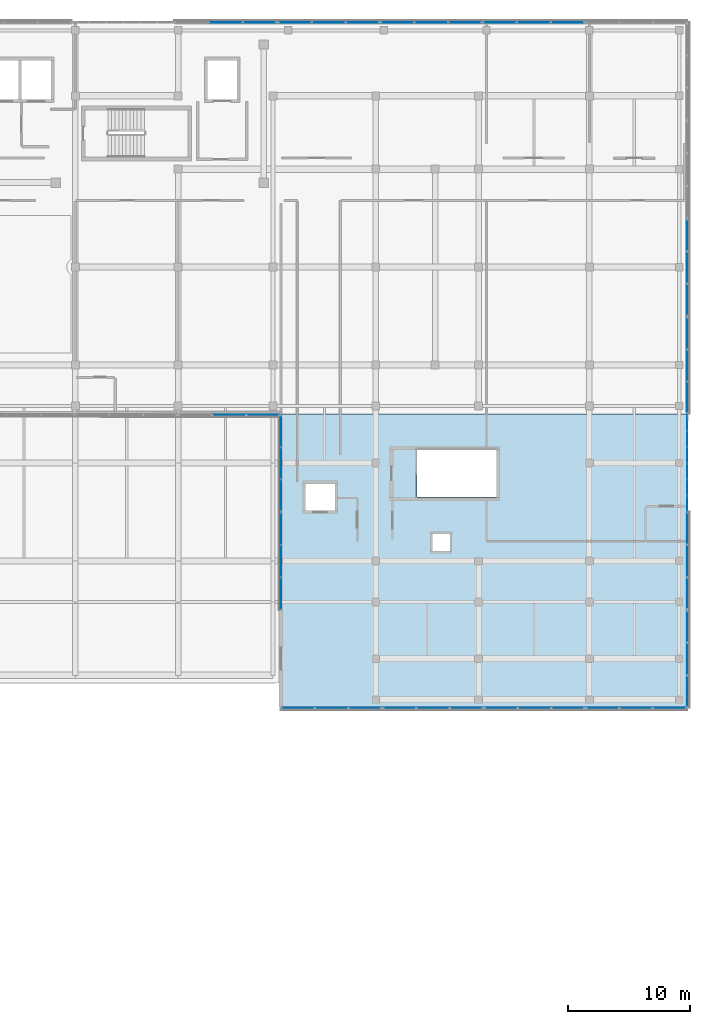
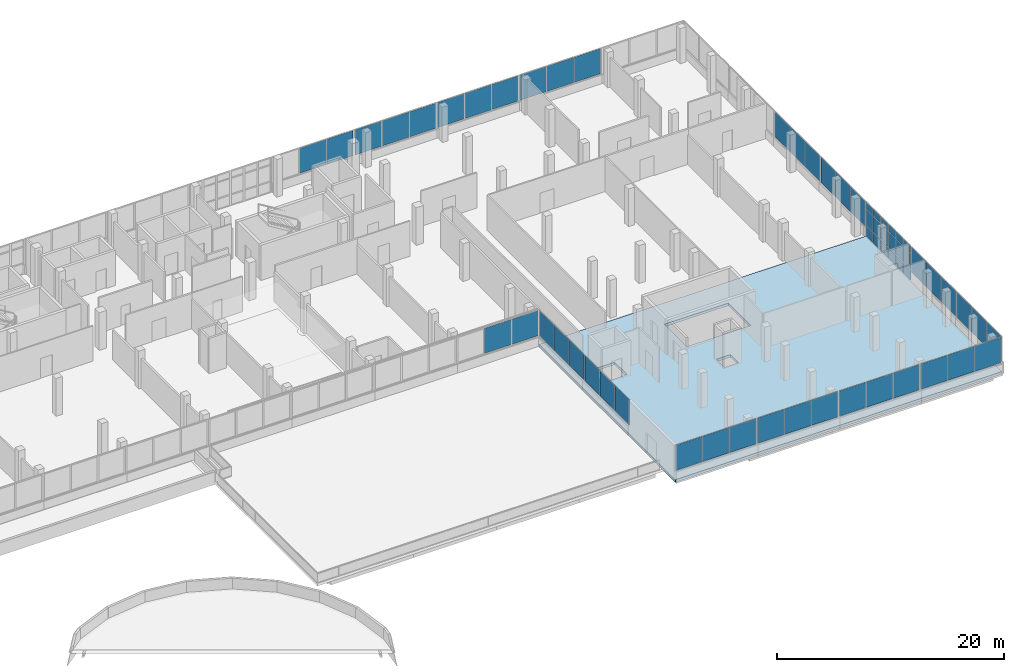
# One storey, part 63 of 78: 61 plates, 1 slab, 16 elements without a shape of their own.
"""IFC4 building model written with IfcOpenShell, lengths in metres."""

from ifc_helpers import new_model, si_unit, direction, frame, origin, origin_2d, place, context, subcontext, project, spatial, polyline, rectangle, outline, extrude, material, layer, layer_set, type_object, element, aggregate, save


model = new_model("IFC4")

# Units and contexts
model_context = context("Model", 3, precision=1e-05, world=origin(), true_north=direction((0.0, 1.0)))
body_context = subcontext(model_context, "Body", "Model", "MODEL_VIEW")
ifc_project = project(units=[si_unit("LENGTHUNIT", "METRE"), si_unit("AREAUNIT", "SQUARE_METRE"), si_unit("VOLUMEUNIT", "CUBIC_METRE"), si_unit("PLANEANGLEUNIT", "RADIAN"), si_unit("MASSUNIT", "GRAM", prefix="KILO")], contexts=[model_context])

# Site, building, storey
site_placement = place(None, origin())
site = spatial("IfcSite", under=ifc_project, at=site_placement, CompositionType="ELEMENT")
building_placement = place(site_placement, origin())
building = spatial("IfcBuilding", under=site, at=building_placement, Name="Selatvlak General Hospital", CompositionType="ELEMENT")
storey_placement = place(building_placement, frame((0.0, 0.0, 23.25)))
storey = spatial("IfcBuildingStorey", under=building, at=storey_placement, Name="L05", CompositionType="ELEMENT", Elevation=23.25)

# Curtain wall, plates
ifc_material_1 = material(Name="Solar-control Low-E double glazing", Category="glass")
curtain_wall_type_1 = type_object("IfcCurtainWallType", Name="CW-CW-01", PredefinedType="USERDEFINED", material=ifc_material_1)
curtain_wall_1_placement = place(storey_placement, origin())
curtain_wall_1 = element("IfcCurtainWall", 1, at=curtain_wall_1_placement, inside=storey, type_object=curtain_wall_type_1, Name="Glazed facade curtain wall CW-L05-0561", ObjectType="UNITISED CURTAIN WALL", PredefinedType="USERDEFINED")
ifc_layer_1 = layer(ifc_material_1, 0.028076171875, Name="Solar-control Low-E double glazing", Category="glass")
ifc_layer_set_1 = layer_set([ifc_layer_1], Name="Solar-control Low-E double glazing")
plate_type = type_object("IfcPlateType", Name="CWP-01", PredefinedType="CURTAIN_PANEL", material=ifc_layer_set_1)
plate_1_placement = place(storey_placement, frame((144.2939453125, 120.0, 1.0048828125), z_axis=(0.0, 0.0, 1.0), x_axis=(1.0, 0.0, 0.0)))
plate_1 = element("IfcPlate", 2, at=plate_1_placement, type_object=plate_type, Name="CW-01 panel 2.1", PredefinedType="CURTAIN_PANEL", context=body_context, shape_type="SweptSolid", body=[
    extrude(rectangle(XDim=2.7177734375, YDim=0.028076171875, at=origin_2d()), origin(), (0.0, 0.0, 1.0), 2.705078125),
])
plate_2_placement = place(storey_placement, frame((147.060302734375, 120.0, 1.0048828125), z_axis=(0.0, 0.0, 1.0), x_axis=(1.0, 0.0, 0.0)))
plate_2 = element("IfcPlate", 3, at=plate_2_placement, type_object=plate_type, Name="CW-01 panel 3.1", PredefinedType="CURTAIN_PANEL", context=body_context, shape_type="SweptSolid", body=[
    extrude(rectangle(XDim=2.68505859375, YDim=0.028076171875, at=origin_2d()), origin(), (0.0, 0.0, 1.0), 2.705078125),
])
aggregate(curtain_wall_1, [plate_1, plate_2])

curtain_wall_type_2 = type_object("IfcCurtainWallType", Name="CW-CW-02", PredefinedType="USERDEFINED", material=ifc_material_1)
curtain_wall_2_placement = place(storey_placement, origin())
curtain_wall_2 = element("IfcCurtainWall", 4, at=curtain_wall_2_placement, inside=storey, type_object=curtain_wall_type_2, Name="Glazed facade curtain wall CW-L05-0562", ObjectType="UNITISED CURTAIN WALL", PredefinedType="USERDEFINED")
plate_3_placement = place(storey_placement, frame((149.947509765625, 120.0, 1.0048828125), z_axis=(0.0, 0.0, 1.0), x_axis=(1.0, 0.0, 0.0)))
plate_3 = element("IfcPlate", 5, at=plate_3_placement, type_object=plate_type, Name="CW-02 panel 1.1", PredefinedType="CURTAIN_PANEL", context=body_context, shape_type="SweptSolid", body=[
    extrude(rectangle(XDim=2.6689453125, YDim=0.028076171875, at=origin_2d()), origin(), (0.0, 0.0, 1.0), 2.705078125),
])
plate_4_placement = place(storey_placement, frame((152.697509765625, 120.0, 1.0048828125), z_axis=(0.0, 0.0, 1.0), x_axis=(1.0, 0.0, 0.0)))
plate_4 = element("IfcPlate", 6, at=plate_4_placement, type_object=plate_type, Name="CW-02 panel 2.1", PredefinedType="CURTAIN_PANEL", context=body_context, shape_type="SweptSolid", body=[
    extrude(rectangle(XDim=2.701416015625, YDim=0.028076171875, at=origin_2d()), origin(), (0.0, 0.0, 1.0), 2.705078125),
])
plate_5_placement = place(storey_placement, frame((155.447509765625, 120.0, 1.0048828125), z_axis=(0.0, 0.0, 1.0), x_axis=(1.0, 0.0, 0.0)))
plate_5 = element("IfcPlate", 7, at=plate_5_placement, type_object=plate_type, Name="CW-02 panel 3.1", PredefinedType="CURTAIN_PANEL", context=body_context, shape_type="SweptSolid", body=[
    extrude(rectangle(XDim=2.6689453125, YDim=0.028076171875, at=origin_2d()), origin(), (0.0, 0.0, 1.0), 2.705078125),
])
aggregate(curtain_wall_2, [plate_3, plate_4, plate_5])

curtain_wall_3_placement = place(storey_placement, origin())
curtain_wall_3 = element("IfcCurtainWall", 8, at=curtain_wall_3_placement, inside=storey, type_object=curtain_wall_type_1, Name="Glazed facade curtain wall CW-L05-0563", ObjectType="UNITISED CURTAIN WALL", PredefinedType="USERDEFINED")
plate_6_placement = place(storey_placement, frame((158.326416015625, 120.0, 1.0048828125), z_axis=(0.0, 0.0, 1.0), x_axis=(1.0, 0.0, 0.0)))
plate_6 = element("IfcPlate", 9, at=plate_6_placement, type_object=plate_type, Name="CW-01 panel 1.1", PredefinedType="CURTAIN_PANEL", context=body_context, shape_type="SweptSolid", body=[
    extrude(rectangle(XDim=2.6689453125, YDim=0.028076171875, at=origin_2d()), origin(), (0.0, 0.0, 1.0), 2.705078125),
])
plate_7_placement = place(storey_placement, frame((161.076416015625, 120.0, 1.0048828125), z_axis=(0.0, 0.0, 1.0), x_axis=(1.0, 0.0, 0.0)))
plate_7 = element("IfcPlate", 10, at=plate_7_placement, type_object=plate_type, Name="CW-01 panel 2.1", PredefinedType="CURTAIN_PANEL", context=body_context, shape_type="SweptSolid", body=[
    extrude(rectangle(XDim=2.701416015625, YDim=0.028076171875, at=origin_2d()), origin(), (0.0, 0.0, 1.0), 2.705078125),
])
plate_8_placement = place(storey_placement, frame((163.82666015625, 120.0, 1.0048828125), z_axis=(0.0, 0.0, 1.0), x_axis=(1.0, 0.0, 0.0)))
plate_8 = element("IfcPlate", 11, at=plate_8_placement, type_object=plate_type, Name="CW-01 panel 3.1", PredefinedType="CURTAIN_PANEL", context=body_context, shape_type="SweptSolid", body=[
    extrude(rectangle(XDim=2.6689453125, YDim=0.028076171875, at=origin_2d()), origin(), (0.0, 0.0, 1.0), 2.705078125),
])
aggregate(curtain_wall_3, [plate_6, plate_7, plate_8])

curtain_wall_4_placement = place(storey_placement, origin())
curtain_wall_4 = element("IfcCurtainWall", 12, at=curtain_wall_4_placement, inside=storey, type_object=curtain_wall_type_2, Name="Glazed facade curtain wall CW-L05-0564", ObjectType="UNITISED CURTAIN WALL", PredefinedType="USERDEFINED")
plate_9_placement = place(storey_placement, frame((166.705322265625, 120.0, 1.0048828125), z_axis=(0.0, 0.0, 1.0), x_axis=(1.0, 0.0, 0.0)))
plate_9 = element("IfcPlate", 13, at=plate_9_placement, type_object=plate_type, Name="CW-02 panel 1.1", PredefinedType="CURTAIN_PANEL", context=body_context, shape_type="SweptSolid", body=[
    extrude(rectangle(XDim=2.6689453125, YDim=0.028076171875, at=origin_2d()), origin(), (0.0, 0.0, 1.0), 2.705078125),
])
plate_10_placement = place(storey_placement, frame((169.45556640625, 120.0, 1.0048828125), z_axis=(0.0, 0.0, 1.0), x_axis=(1.0, 0.0, 0.0)))
plate_10 = element("IfcPlate", 14, at=plate_10_placement, type_object=plate_type, Name="CW-02 panel 2.1", PredefinedType="CURTAIN_PANEL", context=body_context, shape_type="SweptSolid", body=[
    extrude(rectangle(XDim=2.701416015625, YDim=0.028076171875, at=origin_2d()), origin(), (0.0, 0.0, 1.0), 2.705078125),
])
plate_11_placement = place(storey_placement, frame((172.20556640625, 120.0, 1.0048828125), z_axis=(0.0, 0.0, 1.0), x_axis=(1.0, 0.0, 0.0)))
plate_11 = element("IfcPlate", 15, at=plate_11_placement, type_object=plate_type, Name="CW-02 panel 3.1", PredefinedType="CURTAIN_PANEL", context=body_context, shape_type="SweptSolid", body=[
    extrude(rectangle(XDim=2.6689453125, YDim=0.028076171875, at=origin_2d()), origin(), (0.0, 0.0, 1.0), 2.705078125),
])
aggregate(curtain_wall_4, [plate_9, plate_10, plate_11])

curtain_wall_5_placement = place(storey_placement, origin())
curtain_wall_5 = element("IfcCurtainWall", 16, at=curtain_wall_5_placement, inside=storey, type_object=curtain_wall_type_1, Name="Glazed facade curtain wall CW-L05-0568", ObjectType="UNITISED CURTAIN WALL", PredefinedType="USERDEFINED")
plate_12_placement = place(storey_placement, frame((182.0, 102.599853515625, 1.0048828125), z_axis=(0.0, 0.0, 1.0), x_axis=(0.0, -1.0, 0.0)))
plate_12 = element("IfcPlate", 17, at=plate_12_placement, type_object=plate_type, Name="CW-01 panel 1.1", PredefinedType="CURTAIN_PANEL", context=body_context, shape_type="SweptSolid", body=[
    extrude(rectangle(XDim=2.54248046875, YDim=0.028076171875, at=origin_2d()), origin(), (0.0, 0.0, 1.0), 2.705078125),
])
plate_13_placement = place(storey_placement, frame((182.0, 99.97607421875, 1.0048828125), z_axis=(0.0, 0.0, 1.0), x_axis=(0.0, -1.0, 0.0)))
plate_13 = element("IfcPlate", 18, at=plate_13_placement, type_object=plate_type, Name="CW-01 panel 2.1", PredefinedType="CURTAIN_PANEL", context=body_context, shape_type="SweptSolid", body=[
    extrude(rectangle(XDim=2.574951171875, YDim=0.028076171875, at=origin_2d()), origin(), (0.0, 0.0, 1.0), 2.705078125),
])
plate_14_placement = place(storey_placement, frame((182.0, 97.352294921875, 1.0048828125), z_axis=(0.0, 0.0, 1.0), x_axis=(0.0, -1.0, 0.0)))
plate_14 = element("IfcPlate", 19, at=plate_14_placement, type_object=plate_type, Name="CW-01 panel 3.1", PredefinedType="CURTAIN_PANEL", context=body_context, shape_type="SweptSolid", body=[
    extrude(rectangle(XDim=2.54248046875, YDim=0.028076171875, at=origin_2d()), origin(), (0.0, 0.0, 1.0), 2.705078125),
])
aggregate(curtain_wall_5, [plate_12, plate_13, plate_14])

curtain_wall_6_placement = place(storey_placement, origin())
curtain_wall_6 = element("IfcCurtainWall", 20, at=curtain_wall_6_placement, inside=storey, type_object=curtain_wall_type_2, Name="Glazed facade curtain wall CW-L05-0569", ObjectType="UNITISED CURTAIN WALL", PredefinedType="USERDEFINED")
plate_15_placement = place(storey_placement, frame((182.0, 94.599853515625, 1.0048828125), z_axis=(0.0, 0.0, 1.0), x_axis=(0.0, -1.0, 0.0)))
plate_15 = element("IfcPlate", 21, at=plate_15_placement, type_object=plate_type, Name="CW-02 panel 1.1", PredefinedType="CURTAIN_PANEL", context=body_context, shape_type="SweptSolid", body=[
    extrude(rectangle(XDim=2.54248046875, YDim=0.028076171875, at=origin_2d()), origin(), (0.0, 0.0, 1.0), 2.705078125),
])
plate_16_placement = place(storey_placement, frame((182.0, 91.97607421875, 1.0048828125), z_axis=(0.0, 0.0, 1.0), x_axis=(0.0, -1.0, 0.0)))
plate_16 = element("IfcPlate", 22, at=plate_16_placement, type_object=plate_type, Name="CW-02 panel 2.1", PredefinedType="CURTAIN_PANEL", context=body_context, shape_type="SweptSolid", body=[
    extrude(rectangle(XDim=2.574951171875, YDim=0.028076171875, at=origin_2d()), origin(), (0.0, 0.0, 1.0), 2.705078125),
])
plate_17_placement = place(storey_placement, frame((182.0, 89.352294921875, 1.0048828125), z_axis=(0.0, 0.0, 1.0), x_axis=(0.0, -1.0, 0.0)))
plate_17 = element("IfcPlate", 23, at=plate_17_placement, type_object=plate_type, Name="CW-02 panel 3.1", PredefinedType="CURTAIN_PANEL", context=body_context, shape_type="SweptSolid", body=[
    extrude(rectangle(XDim=2.54248046875, YDim=0.028076171875, at=origin_2d()), origin(), (0.0, 0.0, 1.0), 2.705078125),
])
aggregate(curtain_wall_6, [plate_15, plate_16, plate_17])

curtain_wall_type_3 = type_object("IfcCurtainWallType", Name="CW-CW-04", PredefinedType="USERDEFINED", material=ifc_material_1)
curtain_wall_7_placement = place(storey_placement, origin())
curtain_wall_7 = element("IfcCurtainWall", 24, at=curtain_wall_7_placement, inside=storey, type_object=curtain_wall_type_3, Name="Glazed facade curtain wall CW-L05-0570", ObjectType="STICK GLAZING WALL", PredefinedType="USERDEFINED")
plate_18_placement = place(storey_placement, frame((182.0, 87.3056640625, 0.06494140625), z_axis=(0.0, 0.0, 1.0), x_axis=(0.0, -1.0, 0.0)))
plate_18 = element("IfcPlate", 25, at=plate_18_placement, type_object=plate_type, Name="CW-04 panel 1.1", PredefinedType="CURTAIN_PANEL", context=body_context, shape_type="SweptSolid", body=[
    extrude(rectangle(XDim=1.230712890625, YDim=0.028076171875, at=origin_2d()), origin(), (0.0, 0.0, 1.0), 1.1025390625),
])
plate_19_placement = place(storey_placement, frame((182.0, 87.3056640625, 1.232421875), z_axis=(0.0, 0.0, 1.0), x_axis=(0.0, -1.0, 0.0)))
plate_19 = element("IfcPlate", 26, at=plate_19_placement, type_object=plate_type, Name="CW-04 panel 1.2", PredefinedType="CURTAIN_PANEL", context=body_context, shape_type="SweptSolid", body=[
    extrude(rectangle(XDim=1.230712890625, YDim=0.028076171875, at=origin_2d()), origin(), (0.0, 0.0, 1.0), 1.7099609375),
])
plate_20_placement = place(storey_placement, frame((182.0, 87.3056640625, 3.00732421875), z_axis=(0.0, 0.0, 1.0), x_axis=(0.0, -1.0, 0.0)))
plate_20 = element("IfcPlate", 27, at=plate_20_placement, type_object=plate_type, Name="CW-04 panel 1.3", PredefinedType="CURTAIN_PANEL", context=body_context, shape_type="SweptSolid", body=[
    extrude(rectangle(XDim=1.230712890625, YDim=0.028076171875, at=origin_2d()), origin(), (0.0, 0.0, 1.0), 0.702392578125),
])
plate_21_placement = place(storey_placement, frame((182.0, 85.993408203125, 0.06494140625), z_axis=(0.0, 0.0, 1.0), x_axis=(0.0, -1.0, 0.0)))
plate_21 = element("IfcPlate", 28, at=plate_21_placement, type_object=plate_type, Name="CW-04 panel 2.1", PredefinedType="CURTAIN_PANEL", context=body_context, shape_type="SweptSolid", body=[
    extrude(rectangle(XDim=1.263427734375, YDim=0.028076171875, at=origin_2d()), origin(), (0.0, 0.0, 1.0), 1.1025390625),
])
plate_22_placement = place(storey_placement, frame((182.0, 85.993408203125, 1.232421875), z_axis=(0.0, 0.0, 1.0), x_axis=(0.0, -1.0, 0.0)))
plate_22 = element("IfcPlate", 29, at=plate_22_placement, type_object=plate_type, Name="CW-04 panel 2.2", PredefinedType="CURTAIN_PANEL", context=body_context, shape_type="SweptSolid", body=[
    extrude(rectangle(XDim=1.263427734375, YDim=0.028076171875, at=origin_2d()), origin(), (0.0, 0.0, 1.0), 1.7099609375),
])
plate_23_placement = place(storey_placement, frame((182.0, 85.993408203125, 3.00732421875), z_axis=(0.0, 0.0, 1.0), x_axis=(0.0, -1.0, 0.0)))
plate_23 = element("IfcPlate", 30, at=plate_23_placement, type_object=plate_type, Name="CW-04 panel 2.3", PredefinedType="CURTAIN_PANEL", context=body_context, shape_type="SweptSolid", body=[
    extrude(rectangle(XDim=1.263427734375, YDim=0.028076171875, at=origin_2d()), origin(), (0.0, 0.0, 1.0), 0.702392578125),
])
plate_24_placement = place(storey_placement, frame((182.0, 84.665283203125, 0.06494140625), z_axis=(0.0, 0.0, 1.0), x_axis=(0.0, -1.0, 0.0)))
plate_24 = element("IfcPlate", 31, at=plate_24_placement, type_object=plate_type, Name="CW-04 panel 3.1", PredefinedType="CURTAIN_PANEL", context=body_context, shape_type="SweptSolid", body=[
    extrude(rectangle(XDim=1.263427734375, YDim=0.028076171875, at=origin_2d()), origin(), (0.0, 0.0, 1.0), 1.1025390625),
])
plate_25_placement = place(storey_placement, frame((182.0, 84.665283203125, 1.232421875), z_axis=(0.0, 0.0, 1.0), x_axis=(0.0, -1.0, 0.0)))
plate_25 = element("IfcPlate", 32, at=plate_25_placement, type_object=plate_type, Name="CW-04 panel 3.2", PredefinedType="CURTAIN_PANEL", context=body_context, shape_type="SweptSolid", body=[
    extrude(rectangle(XDim=1.263427734375, YDim=0.028076171875, at=origin_2d()), origin(), (0.0, 0.0, 1.0), 1.7099609375),
])
plate_26_placement = place(storey_placement, frame((182.0, 84.665283203125, 3.00732421875), z_axis=(0.0, 0.0, 1.0), x_axis=(0.0, -1.0, 0.0)))
plate_26 = element("IfcPlate", 33, at=plate_26_placement, type_object=plate_type, Name="CW-04 panel 3.3", PredefinedType="CURTAIN_PANEL", context=body_context, shape_type="SweptSolid", body=[
    extrude(rectangle(XDim=1.263427734375, YDim=0.028076171875, at=origin_2d()), origin(), (0.0, 0.0, 1.0), 0.702392578125),
])
plate_27_placement = place(storey_placement, frame((182.0, 83.3369140625, 0.06494140625), z_axis=(0.0, 0.0, 1.0), x_axis=(0.0, -1.0, 0.0)))
plate_27 = element("IfcPlate", 34, at=plate_27_placement, type_object=plate_type, Name="CW-04 panel 4.1", PredefinedType="CURTAIN_PANEL", context=body_context, shape_type="SweptSolid", body=[
    extrude(rectangle(XDim=1.263427734375, YDim=0.028076171875, at=origin_2d()), origin(), (0.0, 0.0, 1.0), 1.1025390625),
])
plate_28_placement = place(storey_placement, frame((182.0, 83.3369140625, 1.232421875), z_axis=(0.0, 0.0, 1.0), x_axis=(0.0, -1.0, 0.0)))
plate_28 = element("IfcPlate", 35, at=plate_28_placement, type_object=plate_type, Name="CW-04 panel 4.2", PredefinedType="CURTAIN_PANEL", context=body_context, shape_type="SweptSolid", body=[
    extrude(rectangle(XDim=1.263427734375, YDim=0.028076171875, at=origin_2d()), origin(), (0.0, 0.0, 1.0), 1.7099609375),
])
plate_29_placement = place(storey_placement, frame((182.0, 83.3369140625, 3.00732421875), z_axis=(0.0, 0.0, 1.0), x_axis=(0.0, -1.0, 0.0)))
plate_29 = element("IfcPlate", 36, at=plate_29_placement, type_object=plate_type, Name="CW-04 panel 4.3", PredefinedType="CURTAIN_PANEL", context=body_context, shape_type="SweptSolid", body=[
    extrude(rectangle(XDim=1.263427734375, YDim=0.028076171875, at=origin_2d()), origin(), (0.0, 0.0, 1.0), 0.702392578125),
])
plate_30_placement = place(storey_placement, frame((182.0, 82.008544921875, 0.06494140625), z_axis=(0.0, 0.0, 1.0), x_axis=(0.0, -1.0, 0.0)))
plate_30 = element("IfcPlate", 37, at=plate_30_placement, type_object=plate_type, Name="CW-04 panel 5.1", PredefinedType="CURTAIN_PANEL", context=body_context, shape_type="SweptSolid", body=[
    extrude(rectangle(XDim=1.263427734375, YDim=0.028076171875, at=origin_2d()), origin(), (0.0, 0.0, 1.0), 1.1025390625),
])
plate_31_placement = place(storey_placement, frame((182.0, 82.008544921875, 1.232421875), z_axis=(0.0, 0.0, 1.0), x_axis=(0.0, -1.0, 0.0)))
plate_31 = element("IfcPlate", 38, at=plate_31_placement, type_object=plate_type, Name="CW-04 panel 5.2", PredefinedType="CURTAIN_PANEL", context=body_context, shape_type="SweptSolid", body=[
    extrude(rectangle(XDim=1.263427734375, YDim=0.028076171875, at=origin_2d()), origin(), (0.0, 0.0, 1.0), 1.7099609375),
])
plate_32_placement = place(storey_placement, frame((182.0, 82.008544921875, 3.00732421875), z_axis=(0.0, 0.0, 1.0), x_axis=(0.0, -1.0, 0.0)))
plate_32 = element("IfcPlate", 39, at=plate_32_placement, type_object=plate_type, Name="CW-04 panel 5.3", PredefinedType="CURTAIN_PANEL", context=body_context, shape_type="SweptSolid", body=[
    extrude(rectangle(XDim=1.263427734375, YDim=0.028076171875, at=origin_2d()), origin(), (0.0, 0.0, 1.0), 0.702392578125),
])
plate_33_placement = place(storey_placement, frame((182.0, 80.696533203125, 0.06494140625), z_axis=(0.0, 0.0, 1.0), x_axis=(0.0, -1.0, 0.0)))
plate_33 = element("IfcPlate", 40, at=plate_33_placement, type_object=plate_type, Name="CW-04 panel 6.1", PredefinedType="CURTAIN_PANEL", context=body_context, shape_type="SweptSolid", body=[
    extrude(rectangle(XDim=1.230712890625, YDim=0.028076171875, at=origin_2d()), origin(), (0.0, 0.0, 1.0), 1.1025390625),
])
plate_34_placement = place(storey_placement, frame((182.0, 80.696533203125, 1.232421875), z_axis=(0.0, 0.0, 1.0), x_axis=(0.0, -1.0, 0.0)))
plate_34 = element("IfcPlate", 41, at=plate_34_placement, type_object=plate_type, Name="CW-04 panel 6.2", PredefinedType="CURTAIN_PANEL", context=body_context, shape_type="SweptSolid", body=[
    extrude(rectangle(XDim=1.230712890625, YDim=0.028076171875, at=origin_2d()), origin(), (0.0, 0.0, 1.0), 1.7099609375),
])
plate_35_placement = place(storey_placement, frame((182.0, 80.696533203125, 3.00732421875), z_axis=(0.0, 0.0, 1.0), x_axis=(0.0, -1.0, 0.0)))
plate_35 = element("IfcPlate", 42, at=plate_35_placement, type_object=plate_type, Name="CW-04 panel 6.3", PredefinedType="CURTAIN_PANEL", context=body_context, shape_type="SweptSolid", body=[
    extrude(rectangle(XDim=1.230712890625, YDim=0.028076171875, at=origin_2d()), origin(), (0.0, 0.0, 1.0), 0.702392578125),
])
aggregate(curtain_wall_7, [plate_18, plate_19, plate_20, plate_21, plate_22, plate_23, plate_24, plate_25, plate_26, plate_27, plate_28, plate_29, plate_30, plate_31, plate_32, plate_33, plate_34, plate_35])

curtain_wall_8_placement = place(storey_placement, origin())
curtain_wall_8 = element("IfcCurtainWall", 43, at=curtain_wall_8_placement, inside=storey, type_object=curtain_wall_type_2, Name="Glazed facade curtain wall CW-L05-0571", ObjectType="UNITISED CURTAIN WALL", PredefinedType="USERDEFINED")
plate_36_placement = place(storey_placement, frame((182.0, 78.641357421875, 1.0048828125), z_axis=(0.0, 0.0, 1.0), x_axis=(0.0, -1.0, 0.0)))
plate_36 = element("IfcPlate", 44, at=plate_36_placement, type_object=plate_type, Name="CW-02 panel 1.1", PredefinedType="CURTAIN_PANEL", context=body_context, shape_type="SweptSolid", body=[
    extrude(rectangle(XDim=2.55908203125, YDim=0.028076171875, at=origin_2d()), origin(), (0.0, 0.0, 1.0), 2.705078125),
])
plate_37_placement = place(storey_placement, frame((182.0, 76.0009765625, 1.0048828125), z_axis=(0.0, 0.0, 1.0), x_axis=(0.0, -1.0, 0.0)))
plate_37 = element("IfcPlate", 45, at=plate_37_placement, type_object=plate_type, Name="CW-02 panel 2.1", PredefinedType="CURTAIN_PANEL", context=body_context, shape_type="SweptSolid", body=[
    extrude(rectangle(XDim=2.591552734375, YDim=0.028076171875, at=origin_2d()), origin(), (0.0, 0.0, 1.0), 2.705078125),
])
plate_38_placement = place(storey_placement, frame((182.0, 73.360595703125, 1.0048828125), z_axis=(0.0, 0.0, 1.0), x_axis=(0.0, -1.0, 0.0)))
plate_38 = element("IfcPlate", 46, at=plate_38_placement, type_object=plate_type, Name="CW-02 panel 3.1", PredefinedType="CURTAIN_PANEL", context=body_context, shape_type="SweptSolid", body=[
    extrude(rectangle(XDim=2.55908203125, YDim=0.028076171875, at=origin_2d()), origin(), (0.0, 0.0, 1.0), 2.705078125),
])
aggregate(curtain_wall_8, [plate_36, plate_37, plate_38])

curtain_wall_9_placement = place(storey_placement, origin())
curtain_wall_9 = element("IfcCurtainWall", 47, at=curtain_wall_9_placement, inside=storey, type_object=curtain_wall_type_1, Name="Glazed facade curtain wall CW-L05-0572", ObjectType="UNITISED CURTAIN WALL", PredefinedType="USERDEFINED")
plate_39_placement = place(storey_placement, frame((182.0, 70.599853515625, 1.0048828125), z_axis=(0.0, 0.0, 1.0), x_axis=(0.0, -1.0, 0.0)))
plate_39 = element("IfcPlate", 48, at=plate_39_placement, type_object=plate_type, Name="CW-01 panel 1.1", PredefinedType="CURTAIN_PANEL", context=body_context, shape_type="SweptSolid", body=[
    extrude(rectangle(XDim=2.54248046875, YDim=0.028076171875, at=origin_2d()), origin(), (0.0, 0.0, 1.0), 2.705078125),
])
plate_40_placement = place(storey_placement, frame((182.0, 67.97607421875, 1.0048828125), z_axis=(0.0, 0.0, 1.0), x_axis=(0.0, -1.0, 0.0)))
plate_40 = element("IfcPlate", 49, at=plate_40_placement, type_object=plate_type, Name="CW-01 panel 2.1", PredefinedType="CURTAIN_PANEL", context=body_context, shape_type="SweptSolid", body=[
    extrude(rectangle(XDim=2.574951171875, YDim=0.028076171875, at=origin_2d()), origin(), (0.0, 0.0, 1.0), 2.705078125),
])
plate_41_placement = place(storey_placement, frame((182.0, 65.352294921875, 1.0048828125), z_axis=(0.0, 0.0, 1.0), x_axis=(0.0, -1.0, 0.0)))
plate_41 = element("IfcPlate", 50, at=plate_41_placement, type_object=plate_type, Name="CW-01 panel 3.1", PredefinedType="CURTAIN_PANEL", context=body_context, shape_type="SweptSolid", body=[
    extrude(rectangle(XDim=2.54248046875, YDim=0.028076171875, at=origin_2d()), origin(), (0.0, 0.0, 1.0), 2.705078125),
])
aggregate(curtain_wall_9, [plate_39, plate_40, plate_41])

curtain_wall_10_placement = place(storey_placement, origin())
curtain_wall_10 = element("IfcCurtainWall", 51, at=curtain_wall_10_placement, inside=storey, type_object=curtain_wall_type_1, Name="Glazed facade curtain wall CW-L05-0573", ObjectType="UNITISED CURTAIN WALL", PredefinedType="USERDEFINED")
plate_42_placement = place(storey_placement, frame((180.548828125, 64.0009765625, 1.0048828125), z_axis=(0.0, 0.0, 1.0), x_axis=(-1.0, 0.0, 0.0)))
plate_42 = element("IfcPlate", 52, at=plate_42_placement, type_object=plate_type, Name="CW-01 panel 1.1", PredefinedType="CURTAIN_PANEL", context=body_context, shape_type="SweptSolid", body=[
    extrude(rectangle(XDim=2.642578125, YDim=0.028076171875, at=origin_2d()), origin(), (0.0, 0.0, 1.0), 2.705078125),
])
plate_43_placement = place(storey_placement, frame((177.824951171875, 64.0009765625, 1.0048828125), z_axis=(0.0, 0.0, 1.0), x_axis=(-1.0, 0.0, 0.0)))
plate_43 = element("IfcPlate", 53, at=plate_43_placement, type_object=plate_type, Name="CW-01 panel 2.1", PredefinedType="CURTAIN_PANEL", context=body_context, shape_type="SweptSolid", body=[
    extrude(rectangle(XDim=2.675048828125, YDim=0.028076171875, at=origin_2d()), origin(), (0.0, 0.0, 1.0), 2.705078125),
])
plate_44_placement = place(storey_placement, frame((175.101318359375, 64.0009765625, 1.0048828125), z_axis=(0.0, 0.0, 1.0), x_axis=(-1.0, 0.0, 0.0)))
plate_44 = element("IfcPlate", 54, at=plate_44_placement, type_object=plate_type, Name="CW-01 panel 3.1", PredefinedType="CURTAIN_PANEL", context=body_context, shape_type="SweptSolid", body=[
    extrude(rectangle(XDim=2.642578125, YDim=0.028076171875, at=origin_2d()), origin(), (0.0, 0.0, 1.0), 2.705078125),
])
aggregate(curtain_wall_10, [plate_42, plate_43, plate_44])

curtain_wall_11_placement = place(storey_placement, origin())
curtain_wall_11 = element("IfcCurtainWall", 55, at=curtain_wall_11_placement, inside=storey, type_object=curtain_wall_type_2, Name="Glazed facade curtain wall CW-L05-0574", ObjectType="UNITISED CURTAIN WALL", PredefinedType="USERDEFINED")
plate_45_placement = place(storey_placement, frame((172.248779296875, 64.0009765625, 1.0048828125), z_axis=(0.0, 0.0, 1.0), x_axis=(-1.0, 0.0, 0.0)))
plate_45 = element("IfcPlate", 56, at=plate_45_placement, type_object=plate_type, Name="CW-02 panel 1.1", PredefinedType="CURTAIN_PANEL", context=body_context, shape_type="SweptSolid", body=[
    extrude(rectangle(XDim=2.642578125, YDim=0.028076171875, at=origin_2d()), origin(), (0.0, 0.0, 1.0), 2.705078125),
])
plate_46_placement = place(storey_placement, frame((169.52490234375, 64.0009765625, 1.0048828125), z_axis=(0.0, 0.0, 1.0), x_axis=(-1.0, 0.0, 0.0)))
plate_46 = element("IfcPlate", 57, at=plate_46_placement, type_object=plate_type, Name="CW-02 panel 2.1", PredefinedType="CURTAIN_PANEL", context=body_context, shape_type="SweptSolid", body=[
    extrude(rectangle(XDim=2.675048828125, YDim=0.028076171875, at=origin_2d()), origin(), (0.0, 0.0, 1.0), 2.705078125),
])
plate_47_placement = place(storey_placement, frame((166.80126953125, 64.0009765625, 1.0048828125), z_axis=(0.0, 0.0, 1.0), x_axis=(-1.0, 0.0, 0.0)))
plate_47 = element("IfcPlate", 58, at=plate_47_placement, type_object=plate_type, Name="CW-02 panel 3.1", PredefinedType="CURTAIN_PANEL", context=body_context, shape_type="SweptSolid", body=[
    extrude(rectangle(XDim=2.642578125, YDim=0.028076171875, at=origin_2d()), origin(), (0.0, 0.0, 1.0), 2.705078125),
])
aggregate(curtain_wall_11, [plate_45, plate_46, plate_47])

curtain_wall_12_placement = place(storey_placement, origin())
curtain_wall_12 = element("IfcCurtainWall", 59, at=curtain_wall_12_placement, inside=storey, type_object=curtain_wall_type_1, Name="Glazed facade curtain wall CW-L05-0575", ObjectType="UNITISED CURTAIN WALL", PredefinedType="USERDEFINED")
plate_48_placement = place(storey_placement, frame((163.948974609375, 64.000732421875, 1.0048828125), z_axis=(0.0, 0.0, 1.0), x_axis=(-0.999999992598, -0.00012166931, 0.0)))
plate_48 = element("IfcPlate", 60, at=plate_48_placement, type_object=plate_type, Name="CW-01 panel 1.1", PredefinedType="CURTAIN_PANEL", context=body_context, shape_type="SweptSolid", body=[
    extrude(rectangle(XDim=2.64208984375, YDim=0.028076171875, at=origin_2d()), origin(), (0.0, 0.0, 1.0), 2.705078125),
])
plate_49_placement = place(storey_placement, frame((161.2255859375, 64.00048828125, 1.0048828125), z_axis=(0.0, 0.0, 1.0), x_axis=(-0.999999992598, -0.00012166931, 0.0)))
plate_49 = element("IfcPlate", 61, at=plate_49_placement, type_object=plate_type, Name="CW-01 panel 2.1", PredefinedType="CURTAIN_PANEL", context=body_context, shape_type="SweptSolid", body=[
    extrude(rectangle(XDim=2.674560546875, YDim=0.028076171875, at=origin_2d()), origin(), (0.0, 0.0, 1.0), 2.705078125),
])
plate_50_placement = place(storey_placement, frame((158.502197265625, 64.000244140625, 1.0048828125), z_axis=(0.0, 0.0, 1.0), x_axis=(-0.999999992598, -0.00012166931, 0.0)))
plate_50 = element("IfcPlate", 62, at=plate_50_placement, type_object=plate_type, Name="CW-01 panel 3.1", PredefinedType="CURTAIN_PANEL", context=body_context, shape_type="SweptSolid", body=[
    extrude(rectangle(XDim=2.64208984375, YDim=0.028076171875, at=origin_2d()), origin(), (0.0, 0.0, 1.0), 2.705078125),
])
aggregate(curtain_wall_12, [plate_48, plate_49, plate_50])

curtain_wall_13_placement = place(storey_placement, origin())
curtain_wall_13 = element("IfcCurtainWall", 63, at=curtain_wall_13_placement, inside=storey, type_object=curtain_wall_type_2, Name="Glazed facade curtain wall CW-L05-0576", ObjectType="UNITISED CURTAIN WALL", PredefinedType="USERDEFINED")
plate_51_placement = place(storey_placement, frame((155.649658203125, 64.0, 1.0048828125), z_axis=(0.0, 0.0, 1.0), x_axis=(-1.0, 0.0, 0.0)))
plate_51 = element("IfcPlate", 64, at=plate_51_placement, type_object=plate_type, Name="CW-02 panel 1.1", PredefinedType="CURTAIN_PANEL", context=body_context, shape_type="SweptSolid", body=[
    extrude(rectangle(XDim=2.642578125, YDim=0.028076171875, at=origin_2d()), origin(), (0.0, 0.0, 1.0), 2.705078125),
])
plate_52_placement = place(storey_placement, frame((152.926025390625, 64.0, 1.0048828125), z_axis=(0.0, 0.0, 1.0), x_axis=(-1.0, 0.0, 0.0)))
plate_52 = element("IfcPlate", 65, at=plate_52_placement, type_object=plate_type, Name="CW-02 panel 2.1", PredefinedType="CURTAIN_PANEL", context=body_context, shape_type="SweptSolid", body=[
    extrude(rectangle(XDim=2.675048828125, YDim=0.028076171875, at=origin_2d()), origin(), (0.0, 0.0, 1.0), 2.705078125),
])
plate_53_placement = place(storey_placement, frame((150.2021484375, 64.0, 1.0048828125), z_axis=(0.0, 0.0, 1.0), x_axis=(-1.0, 0.0, 0.0)))
plate_53 = element("IfcPlate", 66, at=plate_53_placement, type_object=plate_type, Name="CW-02 panel 3.1", PredefinedType="CURTAIN_PANEL", context=body_context, shape_type="SweptSolid", body=[
    extrude(rectangle(XDim=2.642578125, YDim=0.028076171875, at=origin_2d()), origin(), (0.0, 0.0, 1.0), 2.705078125),
])
aggregate(curtain_wall_13, [plate_51, plate_52, plate_53])

curtain_wall_14_placement = place(storey_placement, origin())
curtain_wall_14 = element("IfcCurtainWall", 67, at=curtain_wall_14_placement, inside=storey, type_object=curtain_wall_type_2, Name="Glazed facade curtain wall CW-L05-0577", ObjectType="UNITISED CURTAIN WALL", PredefinedType="USERDEFINED")
plate_54_placement = place(storey_placement, frame((148.80078125, 73.336181640625, 1.0048828125), z_axis=(0.0, 0.0, 1.0), x_axis=(-0.000125786158, 0.999999992089, 0.0)))
plate_54 = element("IfcPlate", 68, at=plate_54_placement, type_object=plate_type, Name="CW-02 panel 1.1", PredefinedType="CURTAIN_PANEL", context=body_context, shape_type="SweptSolid", body=[
    extrude(rectangle(XDim=2.552490234375, YDim=0.028076171875, at=origin_2d()), origin(), (0.0, 0.0, 1.0), 2.705078125),
])
plate_55_placement = place(storey_placement, frame((148.800537109375, 75.969970703125, 1.0048828125), z_axis=(0.0, 0.0, 1.0), x_axis=(-0.000125786158, 0.999999992089, 0.0)))
plate_55 = element("IfcPlate", 69, at=plate_55_placement, type_object=plate_type, Name="CW-02 panel 2.1", PredefinedType="CURTAIN_PANEL", context=body_context, shape_type="SweptSolid", body=[
    extrude(rectangle(XDim=2.5849609375, YDim=0.028076171875, at=origin_2d()), origin(), (0.0, 0.0, 1.0), 2.705078125),
])
plate_56_placement = place(storey_placement, frame((148.800048828125, 78.603759765625, 1.0048828125), z_axis=(0.0, 0.0, 1.0), x_axis=(-0.000125786158, 0.999999992089, 0.0)))
plate_56 = element("IfcPlate", 70, at=plate_56_placement, type_object=plate_type, Name="CW-02 panel 3.1", PredefinedType="CURTAIN_PANEL", context=body_context, shape_type="SweptSolid", body=[
    extrude(rectangle(XDim=2.552490234375, YDim=0.028076171875, at=origin_2d()), origin(), (0.0, 0.0, 1.0), 2.705078125),
])
aggregate(curtain_wall_14, [plate_54, plate_55, plate_56])

curtain_wall_15_placement = place(storey_placement, origin())
curtain_wall_15 = element("IfcCurtainWall", 71, at=curtain_wall_15_placement, inside=storey, type_object=curtain_wall_type_1, Name="Glazed facade curtain wall CW-L05-0578", ObjectType="UNITISED CURTAIN WALL", PredefinedType="USERDEFINED")
plate_57_placement = place(storey_placement, frame((148.800048828125, 81.35791015625, 1.0048828125), z_axis=(0.0, 0.0, 1.0), x_axis=(0.0, 1.0, 0.0)))
plate_57 = element("IfcPlate", 72, at=plate_57_placement, type_object=plate_type, Name="CW-01 panel 1.1", PredefinedType="CURTAIN_PANEL", context=body_context, shape_type="SweptSolid", body=[
    extrude(rectangle(XDim=2.535888671875, YDim=0.028076171875, at=origin_2d()), origin(), (0.0, 0.0, 1.0), 2.705078125),
])
plate_58_placement = place(storey_placement, frame((148.800048828125, 83.97509765625, 1.0048828125), z_axis=(0.0, 0.0, 1.0), x_axis=(0.0, 1.0, 0.0)))
plate_58 = element("IfcPlate", 73, at=plate_58_placement, type_object=plate_type, Name="CW-01 panel 2.1", PredefinedType="CURTAIN_PANEL", context=body_context, shape_type="SweptSolid", body=[
    extrude(rectangle(XDim=2.568359375, YDim=0.028076171875, at=origin_2d()), origin(), (0.0, 0.0, 1.0), 2.705078125),
])
plate_59_placement = place(storey_placement, frame((148.800048828125, 86.592041015625, 1.0048828125), z_axis=(0.0, 0.0, 1.0), x_axis=(0.0, 1.0, 0.0)))
plate_59 = element("IfcPlate", 74, at=plate_59_placement, type_object=plate_type, Name="CW-01 panel 3.1", PredefinedType="CURTAIN_PANEL", context=body_context, shape_type="SweptSolid", body=[
    extrude(rectangle(XDim=2.535888671875, YDim=0.028076171875, at=origin_2d()), origin(), (0.0, 0.0, 1.0), 2.705078125),
])
aggregate(curtain_wall_15, [plate_57, plate_58, plate_59])

curtain_wall_16_placement = place(storey_placement, origin())
curtain_wall_16 = element("IfcCurtainWall", 75, at=curtain_wall_16_placement, inside=storey, type_object=curtain_wall_type_1, Name="Glazed facade curtain wall CW-L05-0579", ObjectType="UNITISED CURTAIN WALL", PredefinedType="USERDEFINED")
plate_60_placement = place(storey_placement, frame((147.33203125, 87.940673828125, 1.0048828125), z_axis=(0.0, 0.0, 1.0), x_axis=(-0.99999988443, 0.00048076918, 0.0)))
plate_60 = element("IfcPlate", 76, at=plate_60_placement, type_object=plate_type, Name="CW-01 panel 1.1", PredefinedType="CURTAIN_PANEL", context=body_context, shape_type="SweptSolid", body=[
    extrude(rectangle(XDim=2.67578125, YDim=0.028076171875, at=origin_2d()), origin(), (0.0, 0.0, 1.0), 2.705078125),
])
plate_61_placement = place(storey_placement, frame((144.574951171875, 87.94189453125, 1.0048828125), z_axis=(0.0, 0.0, 1.0), x_axis=(-0.99999988443, 0.00048076918, 0.0)))
plate_61 = element("IfcPlate", 77, at=plate_61_placement, type_object=plate_type, Name="CW-01 panel 2.1", PredefinedType="CURTAIN_PANEL", context=body_context, shape_type="SweptSolid", body=[
    extrude(rectangle(XDim=2.708251953125, YDim=0.028076171875, at=origin_2d()), origin(), (0.0, 0.0, 1.0), 2.705078125),
])
aggregate(curtain_wall_16, [plate_60, plate_61])

# Slab
ifc_material_2 = material(Name="Concrete C40/50", Category="concrete")
ifc_layer_2 = layer(ifc_material_2, 0.280029296875, Name="Concrete C40/50", Category="concrete")
ifc_layer_set_2 = layer_set([ifc_layer_2], Name="Concrete C40/50")
slab_type = type_object("IfcSlabType", Name="SLAB-SL-FL5", PredefinedType="FLOOR", material=ifc_layer_set_2)
slab_placement = place(storey_placement, frame((0.0, 0.0, -0.280029296875)))
element("IfcSlab", 78, at=slab_placement, inside=storey, type_object=slab_type, Name="L05 V5E structural slab", PredefinedType="FLOOR", context=body_context, shape_type="SweptSolid", body=[
    extrude(outline(polyline([(182.0, 87.991943359375), (182.0, 64.0), (148.800048828125, 64.0), (148.800048828125, 87.991943359375), (182.0, 87.991943359375)]), holes=[polyline([(159.905029296875, 85.139892578125), (159.905029296875, 81.199951171875), (166.39990234375, 81.199951171875), (166.39990234375, 85.139892578125), (159.905029296875, 85.139892578125)]), polyline([(150.800048828125, 82.300048828125), (150.800048828125, 80.10009765625), (153.199951171875, 80.10009765625), (153.199951171875, 82.300048828125), (150.800048828125, 82.300048828125)]), polyline([(162.60009765625, 78.199951171875), (161.199951171875, 78.199951171875), (161.199951171875, 76.800048828125), (162.60009765625, 76.800048828125), (162.60009765625, 78.199951171875)])]), origin(), (0.0, 0.0, 1.0), 0.280029296875),
])

save(model, "model.ifc")
